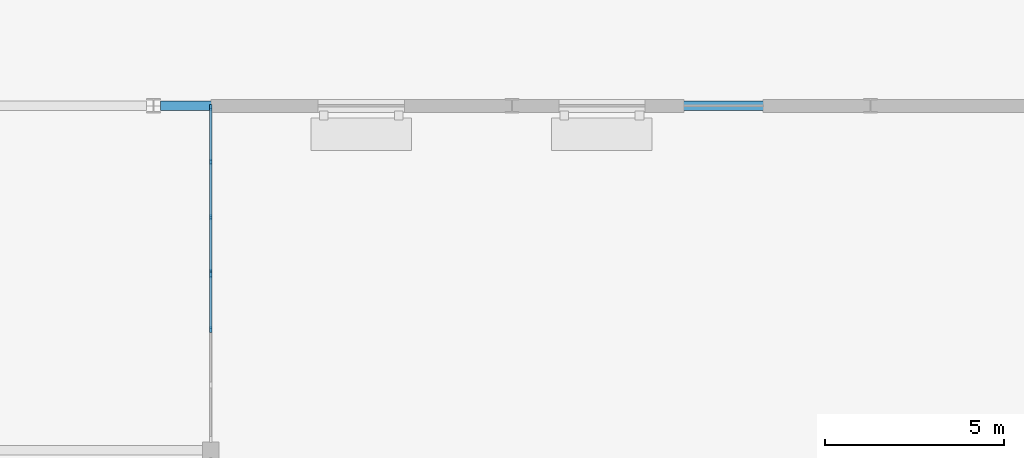
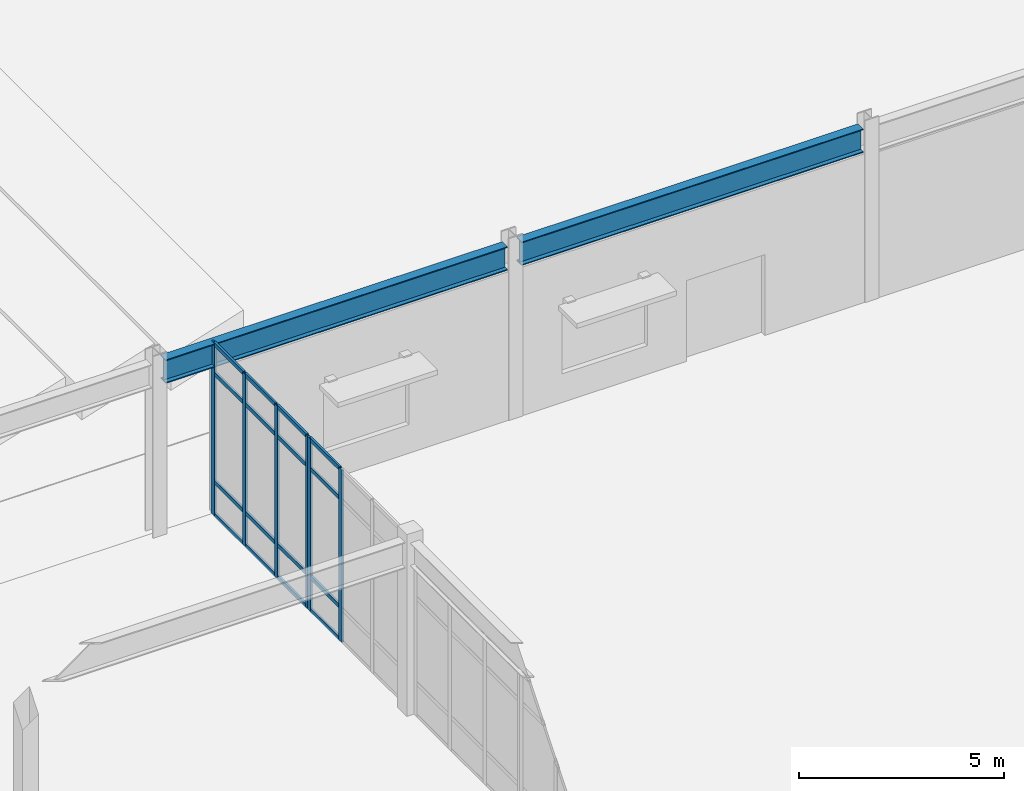
# One storey, part 13 of 54: 22 members, 2 beams, 2 elements without a shape of their own.
"""IFC4 building model written with IfcOpenShell, lengths in metres."""

from ifc_helpers import new_model, si_unit, direction, frame, origin, origin_2d, place, context, subcontext, project, spatial, rectangle, i_section, extrude, material, material_profile, profile_set, type_object, element, aggregate, save


model = new_model("IFC4")

# Units and contexts
model_context = context("Model", 3, precision=1e-05, world=origin(), true_north=direction((0.0, 1.0)))
body_context = subcontext(model_context, "Body", "Model", "MODEL_VIEW")
ifc_project = project(units=[si_unit("LENGTHUNIT", "METRE"), si_unit("AREAUNIT", "SQUARE_METRE"), si_unit("VOLUMEUNIT", "CUBIC_METRE"), si_unit("PLANEANGLEUNIT", "RADIAN"), si_unit("MASSUNIT", "GRAM", prefix="KILO")], contexts=[model_context])

# Site, building, storey
site_placement = place(None, origin())
site = spatial("IfcSite", under=ifc_project, at=site_placement, CompositionType="ELEMENT")
building_placement = place(site_placement, origin())
building = spatial("IfcBuilding", under=site, at=building_placement, Name="Veldera Park Congress Hotel", CompositionType="ELEMENT")
storey_placement = place(building_placement, origin())
storey = spatial("IfcBuildingStorey", under=building, at=storey_placement, Name="L00", CompositionType="ELEMENT", Elevation=0.0)

# Beams
ifc_material_1 = material(Name="Steel ASTM A992 Gr.50", Category="steel")
ifc_material_profile_1 = material_profile(ifc_material_1, i_section(OverallWidth=0.25390625, OverallDepth=0.700927734375, WebThickness=0.015380859375, FlangeThickness=0.02783203125, at=origin_2d()), Name="W27X129")
ifc_profile_set_1 = profile_set([ifc_material_profile_1], Name="Steel ASTM A992 Gr.50")
beam_type = type_object("IfcBeamType", Name="BM-W27B", PredefinedType="BEAM", material=ifc_profile_set_1)
for number, where, z_axis, x_axis, name in (
    (1, (-47.200439453125, -21.0, 4.76953125), (1.0, 0.0, 0.0), (0.0, 1.0, 0.0), "L00 Girder BM-W27B 303"),
    (2, (-37.200439453125, -21.0, 4.76953125), (1.0, 0.0, 0.0), (0.0, 1.0, 0.0), "L00 Girder BM-W27B 304"),
):
    element("IfcBeam", number, at=place(storey_placement, frame(where, z_axis=z_axis, x_axis=x_axis)), inside=storey, type_object=beam_type, Name=name, PredefinedType="BEAM", context=body_context, shape_type="SweptSolid", body=[
        extrude(i_section(OverallWidth=0.25390625, OverallDepth=0.700927734375, WebThickness=0.015380859375, FlangeThickness=0.02783203125, at=origin_2d()), origin(), (0.0, 0.0, 1.0), 9.600830078125),
    ])

# Curtain wall, members
ifc_material_2 = material(Name="Low-E Triple Insulating Glass Unit (SHGC 0.22)", Category="glass")
curtain_wall_type = type_object("IfcCurtainWallType", Name="CW-SPA", PredefinedType="NOTDEFINED", material=ifc_material_2)
curtain_wall_1_placement = place(storey_placement, origin())
curtain_wall_1 = element("IfcCurtainWall", 3, at=curtain_wall_1_placement, inside=storey, type_object=curtain_wall_type, Name="L00 Curtain Wall CW3-V3E-L00-009", PredefinedType="NOTDEFINED")
ifc_material_3 = material(Name="Anodised Aluminium Alloy 6063-T6", Category="aluminium")
ifc_material_profile_2 = material_profile(ifc_material_3, rectangle(XDim=0.06005859375, YDim=0.159912109375, at=origin_2d()), Name="ALU 60x160")
ifc_profile_set_2 = profile_set([ifc_material_profile_2], Name="Anodised Aluminium Alloy 6063-T6")
member_type_1 = type_object("IfcMemberType", Name="CWM-160", PredefinedType="MULLION", material=ifc_profile_set_2)
member_1_placement = place(storey_placement, frame((-45.800048828125, -27.23828125, 0.0), z_axis=(0.0, 0.0, 1.0), x_axis=(-1.0, 0.0, 0.0)))
member_1 = element("IfcMember", 4, at=member_1_placement, type_object=member_type_1, Name="CW-SPA mullion 3", PredefinedType="MULLION", context=body_context, shape_type="SweptSolid", body=[
    extrude(rectangle(XDim=0.06005859375, YDim=0.159912109375, at=origin_2d()), origin(), (0.0, 0.0, 1.0), 5.1201171875),
])
member_2_placement = place(storey_placement, frame((-45.800048828125, -25.719970703125, 0.0), z_axis=(0.0, 0.0, 1.0), x_axis=(-1.0, 0.0, 0.0)))
member_2 = element("IfcMember", 5, at=member_2_placement, type_object=member_type_1, Name="CW-SPA mullion 4", PredefinedType="MULLION", context=body_context, shape_type="SweptSolid", body=[
    extrude(rectangle(XDim=0.06005859375, YDim=0.159912109375, at=origin_2d()), origin(), (0.0, 0.0, 1.0), 5.1201171875),
])

curtain_wall_2_placement = place(storey_placement, origin())
curtain_wall_2 = element("IfcCurtainWall", 6, at=curtain_wall_2_placement, inside=storey, type_object=curtain_wall_type, Name="L00 Curtain Wall CW3-V3E-L00-010", PredefinedType="NOTDEFINED")
member_3_placement = place(storey_placement, frame((-45.800048828125, -25.6298828125, 0.0), z_axis=(0.0, 0.0, 1.0), x_axis=(-1.0, 0.0, 0.0)))
member_3 = element("IfcMember", 7, at=member_3_placement, type_object=member_type_1, Name="CW-SPA mullion 1", PredefinedType="MULLION", context=body_context, shape_type="SweptSolid", body=[
    extrude(rectangle(XDim=0.06005859375, YDim=0.159912109375, at=origin_2d()), origin(), (0.0, 0.0, 1.0), 5.1201171875),
])
member_4_placement = place(storey_placement, frame((-45.800048828125, -24.111572265625, 0.0), z_axis=(0.0, 0.0, 1.0), x_axis=(-1.0, 0.0, 0.0)))
member_4 = element("IfcMember", 8, at=member_4_placement, type_object=member_type_1, Name="CW-SPA mullion 2", PredefinedType="MULLION", context=body_context, shape_type="SweptSolid", body=[
    extrude(rectangle(XDim=0.06005859375, YDim=0.159912109375, at=origin_2d()), origin(), (0.0, 0.0, 1.0), 5.1201171875),
])
member_5_placement = place(storey_placement, frame((-45.800048828125, -22.563232421875, 0.0), z_axis=(0.0, 0.0, 1.0), x_axis=(-1.0, 0.0, 0.0)))
member_5 = element("IfcMember", 9, at=member_5_placement, type_object=member_type_1, Name="CW-SPA mullion 3", PredefinedType="MULLION", context=body_context, shape_type="SweptSolid", body=[
    extrude(rectangle(XDim=0.06005859375, YDim=0.159912109375, at=origin_2d()), origin(), (0.0, 0.0, 1.0), 5.1201171875),
])
member_6_placement = place(storey_placement, frame((-45.800048828125, -21.044921875, 0.0), z_axis=(0.0, 0.0, 1.0), x_axis=(-1.0, 0.0, 0.0)))
member_6 = element("IfcMember", 10, at=member_6_placement, type_object=member_type_1, Name="CW-SPA mullion 4", PredefinedType="MULLION", context=body_context, shape_type="SweptSolid", body=[
    extrude(rectangle(XDim=0.06005859375, YDim=0.159912109375, at=origin_2d()), origin(), (0.0, 0.0, 1.0), 5.1201171875),
])

# Member
ifc_material_profile_3 = material_profile(ifc_material_3, rectangle(XDim=0.06005859375, YDim=0.1201171875, at=origin_2d()), Name="ALU 60x120")
ifc_profile_set_3 = profile_set([ifc_material_profile_3], Name="Anodised Aluminium Alloy 6063-T6")
member_type_2 = type_object("IfcMemberType", Name="CWT-120", PredefinedType="USERDEFINED", material=ifc_profile_set_3)
member_7_placement = place(storey_placement, frame((-45.800048828125, -27.208251953125, 0.030029296875), z_axis=(0.0, 1.0, 0.0), x_axis=(-1.0, 0.0, 0.0)))
member_7 = element("IfcMember", 11, at=member_7_placement, type_object=member_type_2, Name="CW-SPA transom 3.1", ObjectType="TRANSOM", PredefinedType="USERDEFINED", context=body_context, shape_type="SweptSolid", body=[
    extrude(rectangle(XDim=0.06005859375, YDim=0.1201171875, at=origin_2d()), origin(), (0.0, 0.0, 1.0), 1.458251953125),
])

member_8_placement = place(storey_placement, frame((-45.800048828125, -27.208251953125, 1.0), z_axis=(0.0, 1.0, 0.0), x_axis=(-1.0, 0.0, 0.0)))
member_8 = element("IfcMember", 12, at=member_8_placement, type_object=member_type_2, Name="CW-SPA transom 3.2", ObjectType="TRANSOM", PredefinedType="USERDEFINED", context=body_context, shape_type="SweptSolid", body=[
    extrude(rectangle(XDim=0.06005859375, YDim=0.1201171875, at=origin_2d()), origin(), (0.0, 0.0, 1.0), 1.458251953125),
])

member_9_placement = place(storey_placement, frame((-45.800048828125, -27.208251953125, 4.219970703125), z_axis=(0.0, 1.0, 0.0), x_axis=(-1.0, 0.0, 0.0)))
member_9 = element("IfcMember", 13, at=member_9_placement, type_object=member_type_2, Name="CW-SPA transom 3.3", ObjectType="TRANSOM", PredefinedType="USERDEFINED", context=body_context, shape_type="SweptSolid", body=[
    extrude(rectangle(XDim=0.06005859375, YDim=0.1201171875, at=origin_2d()), origin(), (0.0, 0.0, 1.0), 1.458251953125),
])

member_10_placement = place(storey_placement, frame((-45.800048828125, -27.208251953125, 5.090087890625), z_axis=(0.0, 1.0, 0.0), x_axis=(-1.0, 0.0, 0.0)))
member_10 = element("IfcMember", 14, at=member_10_placement, type_object=member_type_2, Name="CW-SPA transom 3.4", ObjectType="TRANSOM", PredefinedType="USERDEFINED", context=body_context, shape_type="SweptSolid", body=[
    extrude(rectangle(XDim=0.06005859375, YDim=0.1201171875, at=origin_2d()), origin(), (0.0, 0.0, 1.0), 1.458251953125),
])

aggregate(curtain_wall_1, [member_1, member_2, member_7, member_8, member_9, member_10])

member_11_placement = place(storey_placement, frame((-45.800048828125, -25.60009765625, 0.030029296875), z_axis=(0.0, 1.0, 0.0), x_axis=(-1.0, 0.0, 0.0)))
member_11 = element("IfcMember", 15, at=member_11_placement, type_object=member_type_2, Name="CW-SPA transom 1.1", ObjectType="TRANSOM", PredefinedType="USERDEFINED", context=body_context, shape_type="SweptSolid", body=[
    extrude(rectangle(XDim=0.06005859375, YDim=0.1201171875, at=origin_2d()), origin(), (0.0, 0.0, 1.0), 1.45849609375),
])

member_12_placement = place(storey_placement, frame((-45.800048828125, -25.60009765625, 1.0), z_axis=(0.0, 1.0, 0.0), x_axis=(-1.0, 0.0, 0.0)))
member_12 = element("IfcMember", 16, at=member_12_placement, type_object=member_type_2, Name="CW-SPA transom 1.2", ObjectType="TRANSOM", PredefinedType="USERDEFINED", context=body_context, shape_type="SweptSolid", body=[
    extrude(rectangle(XDim=0.06005859375, YDim=0.1201171875, at=origin_2d()), origin(), (0.0, 0.0, 1.0), 1.45849609375),
])

member_13_placement = place(storey_placement, frame((-45.800048828125, -25.60009765625, 4.219970703125), z_axis=(0.0, 1.0, 0.0), x_axis=(-1.0, 0.0, 0.0)))
member_13 = element("IfcMember", 17, at=member_13_placement, type_object=member_type_2, Name="CW-SPA transom 1.3", ObjectType="TRANSOM", PredefinedType="USERDEFINED", context=body_context, shape_type="SweptSolid", body=[
    extrude(rectangle(XDim=0.06005859375, YDim=0.1201171875, at=origin_2d()), origin(), (0.0, 0.0, 1.0), 1.45849609375),
])

member_14_placement = place(storey_placement, frame((-45.800048828125, -25.60009765625, 5.090087890625), z_axis=(0.0, 1.0, 0.0), x_axis=(-1.0, 0.0, 0.0)))
member_14 = element("IfcMember", 18, at=member_14_placement, type_object=member_type_2, Name="CW-SPA transom 1.4", ObjectType="TRANSOM", PredefinedType="USERDEFINED", context=body_context, shape_type="SweptSolid", body=[
    extrude(rectangle(XDim=0.06005859375, YDim=0.1201171875, at=origin_2d()), origin(), (0.0, 0.0, 1.0), 1.45849609375),
])

member_15_placement = place(storey_placement, frame((-45.800048828125, -24.081787109375, 0.030029296875), z_axis=(0.0, 1.0, 0.0), x_axis=(-1.0, 0.0, 0.0)))
member_15 = element("IfcMember", 19, at=member_15_placement, type_object=member_type_2, Name="CW-SPA transom 2.1", ObjectType="TRANSOM", PredefinedType="USERDEFINED", context=body_context, shape_type="SweptSolid", body=[
    extrude(rectangle(XDim=0.06005859375, YDim=0.1201171875, at=origin_2d()), origin(), (0.0, 0.0, 1.0), 1.488525390625),
])

member_16_placement = place(storey_placement, frame((-45.800048828125, -24.081787109375, 1.0), z_axis=(0.0, 1.0, 0.0), x_axis=(-1.0, 0.0, 0.0)))
member_16 = element("IfcMember", 20, at=member_16_placement, type_object=member_type_2, Name="CW-SPA transom 2.2", ObjectType="TRANSOM", PredefinedType="USERDEFINED", context=body_context, shape_type="SweptSolid", body=[
    extrude(rectangle(XDim=0.06005859375, YDim=0.1201171875, at=origin_2d()), origin(), (0.0, 0.0, 1.0), 1.488525390625),
])

member_17_placement = place(storey_placement, frame((-45.800048828125, -24.081787109375, 4.219970703125), z_axis=(0.0, 1.0, 0.0), x_axis=(-1.0, 0.0, 0.0)))
member_17 = element("IfcMember", 21, at=member_17_placement, type_object=member_type_2, Name="CW-SPA transom 2.3", ObjectType="TRANSOM", PredefinedType="USERDEFINED", context=body_context, shape_type="SweptSolid", body=[
    extrude(rectangle(XDim=0.06005859375, YDim=0.1201171875, at=origin_2d()), origin(), (0.0, 0.0, 1.0), 1.488525390625),
])

member_18_placement = place(storey_placement, frame((-45.800048828125, -24.081787109375, 5.090087890625), z_axis=(0.0, 1.0, 0.0), x_axis=(-1.0, 0.0, 0.0)))
member_18 = element("IfcMember", 22, at=member_18_placement, type_object=member_type_2, Name="CW-SPA transom 2.4", ObjectType="TRANSOM", PredefinedType="USERDEFINED", context=body_context, shape_type="SweptSolid", body=[
    extrude(rectangle(XDim=0.06005859375, YDim=0.1201171875, at=origin_2d()), origin(), (0.0, 0.0, 1.0), 1.488525390625),
])

member_19_placement = place(storey_placement, frame((-45.800048828125, -22.533447265625, 0.030029296875), z_axis=(0.0, 1.0, 0.0), x_axis=(-1.0, 0.0, 0.0)))
member_19 = element("IfcMember", 23, at=member_19_placement, type_object=member_type_2, Name="CW-SPA transom 3.1", ObjectType="TRANSOM", PredefinedType="USERDEFINED", context=body_context, shape_type="SweptSolid", body=[
    extrude(rectangle(XDim=0.06005859375, YDim=0.1201171875, at=origin_2d()), origin(), (0.0, 0.0, 1.0), 1.45849609375),
])

member_20_placement = place(storey_placement, frame((-45.800048828125, -22.533447265625, 1.0), z_axis=(0.0, 1.0, 0.0), x_axis=(-1.0, 0.0, 0.0)))
member_20 = element("IfcMember", 24, at=member_20_placement, type_object=member_type_2, Name="CW-SPA transom 3.2", ObjectType="TRANSOM", PredefinedType="USERDEFINED", context=body_context, shape_type="SweptSolid", body=[
    extrude(rectangle(XDim=0.06005859375, YDim=0.1201171875, at=origin_2d()), origin(), (0.0, 0.0, 1.0), 1.45849609375),
])

member_21_placement = place(storey_placement, frame((-45.800048828125, -22.533447265625, 4.219970703125), z_axis=(0.0, 1.0, 0.0), x_axis=(-1.0, 0.0, 0.0)))
member_21 = element("IfcMember", 25, at=member_21_placement, type_object=member_type_2, Name="CW-SPA transom 3.3", ObjectType="TRANSOM", PredefinedType="USERDEFINED", context=body_context, shape_type="SweptSolid", body=[
    extrude(rectangle(XDim=0.06005859375, YDim=0.1201171875, at=origin_2d()), origin(), (0.0, 0.0, 1.0), 1.45849609375),
])

member_22_placement = place(storey_placement, frame((-45.800048828125, -22.533447265625, 5.090087890625), z_axis=(0.0, 1.0, 0.0), x_axis=(-1.0, 0.0, 0.0)))
member_22 = element("IfcMember", 26, at=member_22_placement, type_object=member_type_2, Name="CW-SPA transom 3.4", ObjectType="TRANSOM", PredefinedType="USERDEFINED", context=body_context, shape_type="SweptSolid", body=[
    extrude(rectangle(XDim=0.06005859375, YDim=0.1201171875, at=origin_2d()), origin(), (0.0, 0.0, 1.0), 1.45849609375),
])

aggregate(curtain_wall_2, [member_3, member_4, member_5, member_6, member_11, member_12, member_13, member_14, member_15, member_16, member_17, member_18, member_19, member_20, member_21, member_22])

save(model, "model.ifc")
